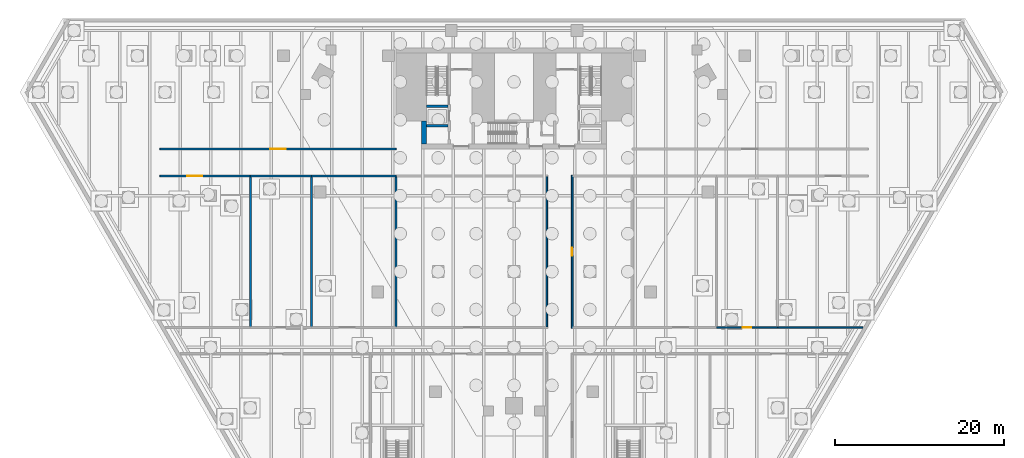
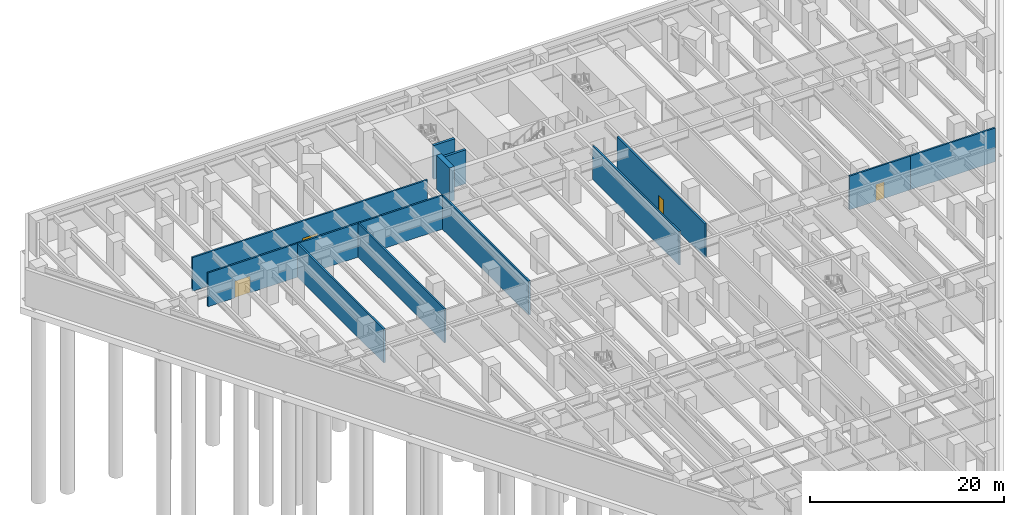
# One storey, part 11 of 18: 14 walls, 4 doors, 4 openings.
"""IFC4 building model written with IfcOpenShell, lengths in metres."""

from ifc_helpers import new_model, si_unit, direction, frame, frame_2d, origin, place, context, subcontext, project, spatial, rectangle, extrude, material, layer, layer_set, type_object, element, fill, save


model = new_model("IFC4")

# Units and contexts
model_context = context("Model", 3, precision=1e-05, world=origin(), true_north=direction((0.0, 1.0)))
body_context = subcontext(model_context, "Body", "Model", "MODEL_VIEW")
ifc_project = project(units=[si_unit("LENGTHUNIT", "METRE"), si_unit("AREAUNIT", "SQUARE_METRE"), si_unit("VOLUMEUNIT", "CUBIC_METRE"), si_unit("PLANEANGLEUNIT", "RADIAN"), si_unit("MASSUNIT", "GRAM", prefix="KILO")], contexts=[model_context])

# Site, building, storey
site_placement = place(None, origin())
site = spatial("IfcSite", under=ifc_project, at=site_placement, CompositionType="ELEMENT")
building_placement = place(site_placement, origin())
building = spatial("IfcBuilding", under=site, at=building_placement, Name="Aloe Facet Convention Tower", CompositionType="ELEMENT")
storey_placement = place(building_placement, frame((0.0, 0.0, -9.0)))
storey = spatial("IfcBuildingStorey", under=building, at=storey_placement, Name="B2", CompositionType="ELEMENT", Elevation=-9.0)

# Walls
ifc_material_1 = material(Name="Concrete C80/95", Category="concrete")
ifc_layer_1 = layer(ifc_material_1, 0.300048828125)
ifc_layer_set_1 = layer_set([ifc_layer_1], Name="CR-W-RC300-C8095")
wall_type_1 = type_object("IfcWallType", Name="CR-W-RC300-C8095", PredefinedType="SOLIDWALL", material=ifc_layer_set_1)
for number, where, z_axis, x_axis, name in (
    (1, (69.60009765625, 127.60009765625, 0.0), (0.0, 0.0, 1.0), (1.0, 0.0, 0.0), "Core wall B2-005"),
    (2, (69.60009765625, 125.300048828125, 0.0), (0.0, 0.0, 1.0), (1.0, 0.0, 0.0), "Core wall B2-006"),
):
    element("IfcWall", number, at=place(storey_placement, frame(where, z_axis=z_axis, x_axis=x_axis)), inside=storey, type_object=wall_type_1, Name=name, PredefinedType="SOLIDWALL", context=body_context, shape_type="SweptSolid", body=[
        extrude(rectangle(XDim=2.5498046875, YDim=0.300048828125, at=frame_2d((1.27490234375, 0.0))), origin(), (0.0, 0.0, 1.0), 4.25),
    ])
ifc_material_2 = material(Name="Concrete C80/95", Category="concrete")
ifc_layer_2 = layer(ifc_material_2, 0.60009765625)
ifc_layer_set_2 = layer_set([ifc_layer_2], Name="CR-W-RC600-C8095")
wall_type_2 = type_object("IfcWallType", Name="CR-W-RC600-C8095", PredefinedType="SOLIDWALL", material=ifc_layer_set_2)
wall_1_placement = place(storey_placement, frame((69.300048828125, 125.85009765625, 0.0), z_axis=(0.0, 0.0, 1.0), x_axis=(0.0, -1.0, 0.0)))
element("IfcWall", 3, at=wall_1_placement, inside=storey, type_object=wall_type_2, Name="Core wall B2-003", PredefinedType="SOLIDWALL", context=body_context, shape_type="SweptSolid", body=[
    extrude(rectangle(XDim=2.7001953125, YDim=0.60009765625, at=frame_2d((1.35009765625, 0.0))), origin(), (0.0, 0.0, 1.0), 4.25),
])
ifc_material_3 = material(Name="Masonry blockwork wall, plastered", Category="masonry")
ifc_layer_3 = layer(ifc_material_3, 0.199951171875)
ifc_layer_set_3 = layer_set([ifc_layer_3], Name="IN-POD-W-PLANT")
wall_type_3 = type_object("IfcWallType", Name="IN-POD-W-PLANT", PredefinedType="PARTITIONING", material=ifc_layer_set_3)
for number, where, z_axis, x_axis, name in (
    (4, (48.7333984375, 101.43505859375, 0.0), (0.0, 0.0, 1.0), (0.0, 1.0, 0.0), "Partition B2-W033"),
    (5, (55.966796875, 101.43505859375, 0.0), (0.0, 0.0, 1.0), (0.0, 1.0, 0.0), "Partition B2-W035"),
    (6, (66.0, 101.43505859375, 0.0), (0.0, 0.0, 1.0), (0.0, 1.0, 0.0), "Partition B2-W037"),
):
    element("IfcWall", number, at=place(storey_placement, frame(where, z_axis=z_axis, x_axis=x_axis)), inside=storey, type_object=wall_type_3, Name=name, PredefinedType="PARTITIONING", context=body_context, shape_type="SweptSolid", body=[
        extrude(rectangle(XDim=17.829833984375, YDim=0.199951171875, at=frame_2d((8.9150390625, 0.0))), origin(), (0.0, 0.0, 1.0), 4.25),
    ])

# Wall, opening, door
wall_2_placement = place(storey_placement, frame((86.89990234375, 101.27490234375, 0.0), z_axis=(0.0, 0.0, 1.0), x_axis=(0.0, 1.0, 0.0)))
wall_2 = element("IfcWall", 7, at=wall_2_placement, inside=storey, type_object=wall_type_3, Name="Partition B2-W039", PredefinedType="PARTITIONING", context=body_context, shape_type="SweptSolid", body=[
    extrude(rectangle(XDim=18.150146484375, YDim=0.199951171875, at=frame_2d((9.0751953125, 0.0))), origin(), (0.0, 0.0, 1.0), 4.25),
])
opening_1_placement = place(wall_2_placement, frame((8.574951171875, 0.0, 0.0)))
opening_1 = element("IfcOpeningElement", 8, at=opening_1_placement, cuts=wall_2, Name="Opening B2-007", PredefinedType="OPENING", context=body_context, shape_type="SweptSolid", body=[
    extrude(rectangle(XDim=1.0, YDim=2.10009765625, at=frame_2d((0.5, 1.050048828125))), frame((0.0, 0.10986328125, 0.0), z_axis=(0.0, -1.0, 0.0), x_axis=(1.0, 0.0, 0.0)), (0.0, 0.0, 1.0), 0.219970703125),
])
ifc_material_4 = material(Name="Steel flush door, galvanised", Category="steel")
door_type_1 = type_object("IfcDoorType", Name="IN-POD-D-PLANT", OperationType="SINGLE_SWING_LEFT", PredefinedType="DOOR", material=ifc_material_4)
door_1_placement = place(opening_1_placement, origin())
door_1 = element("IfcDoor", 9, at=door_1_placement, inside=storey, type_object=door_type_1, Name="Door B2-007", OperationType="SINGLE_SWING_LEFT", OverallHeight=2.10009765625, OverallWidth=1.0, PredefinedType="DOOR", context=body_context, shape_type="SweptSolid", body=[
    extrude(rectangle(XDim=1.0, YDim=2.10009765625, at=frame_2d((0.5, 1.050048828125))), frame((0.0, 0.02490234375, 0.0), z_axis=(0.0, -1.0, 0.0), x_axis=(1.0, 0.0, 0.0)), (0.0, 0.0, 1.0), 0.050048828125),
])
fill(opening_1, door_1)

wall_3_placement = place(storey_placement, frame((104.033203125, 101.35009765625, 0.0), z_axis=(0.0, 0.0, 1.0), x_axis=(1.0, 0.0, 0.0)))
wall_3 = element("IfcWall", 10, at=wall_3_placement, inside=storey, type_object=wall_type_3, Name="Partition B2-W044", PredefinedType="PARTITIONING", context=body_context, shape_type="SweptSolid", body=[
    extrude(rectangle(XDim=7.2333984375, YDim=0.199951171875, at=frame_2d((3.61669921875, 0.0))), origin(), (0.0, 0.0, 1.0), 4.25),
])
opening_2_placement = place(wall_3_placement, frame((3.11669921875, 0.0, 0.0)))
opening_2 = element("IfcOpeningElement", 11, at=opening_2_placement, cuts=wall_3, Name="Opening B2-009", PredefinedType="OPENING", context=body_context, shape_type="SweptSolid", body=[
    extrude(rectangle(XDim=1.0, YDim=2.10009765625, at=frame_2d((0.5, 1.050048828125))), frame((0.0, 0.10986328125, 0.0), z_axis=(0.0, -1.0, 0.0), x_axis=(1.0, 0.0, 0.0)), (0.0, 0.0, 1.0), 0.219970703125),
])
door_2_placement = place(opening_2_placement, origin())
door_2 = element("IfcDoor", 12, at=door_2_placement, inside=storey, type_object=door_type_1, Name="Door B2-009", OperationType="SINGLE_SWING_LEFT", OverallHeight=2.10009765625, OverallWidth=1.0, PredefinedType="DOOR", context=body_context, shape_type="SweptSolid", body=[
    extrude(rectangle(XDim=1.0, YDim=2.10009765625, at=frame_2d((0.5, 1.050048828125))), frame((0.0, 0.02490234375, 0.0), z_axis=(0.0, -1.0, 0.0), x_axis=(1.0, 0.0, 0.0)), (0.0, 0.0, 1.0), 0.050048828125),
])
fill(opening_2, door_2)

# Wall
wall_4_placement = place(storey_placement, frame((111.2666015625, 101.35009765625, 0.0), z_axis=(0.0, 0.0, 1.0), x_axis=(1.0, 0.0, 0.0)))
element("IfcWall", 13, at=wall_4_placement, inside=storey, type_object=wall_type_3, Name="Partition B2-W046", PredefinedType="PARTITIONING", context=body_context, shape_type="SweptSolid", body=[
    extrude(rectangle(XDim=10.11767578125, YDim=0.199951171875, at=frame_2d((5.058837890625, 0.0))), origin(), (0.0, 0.0, 1.0), 4.25),
])

# Wall, opening, door
wall_5_placement = place(storey_placement, frame((38.0, 119.35009765625, 0.0), z_axis=(0.0, 0.0, 1.0), x_axis=(1.0, 0.0, 0.0)))
wall_5 = element("IfcWall", 14, at=wall_5_placement, inside=storey, type_object=wall_type_3, Name="Partition B2-W047", PredefinedType="PARTITIONING", context=body_context, shape_type="SweptSolid", body=[
    extrude(rectangle(XDim=10.7333984375, YDim=0.199951171875, at=frame_2d((5.36669921875, 0.0))), origin(), (0.0, 0.0, 1.0), 4.25),
])
opening_3_placement = place(wall_5_placement, frame((3.216552734375, 0.0, 0.0)))
opening_3 = element("IfcOpeningElement", 15, at=opening_3_placement, cuts=wall_5, Name="Opening B2-003", PredefinedType="OPENING", context=body_context, shape_type="SweptSolid", body=[
    extrude(rectangle(XDim=1.800048828125, YDim=2.10009765625, at=frame_2d((0.89990234375, 1.050048828125))), frame((0.0, 0.10986328125, 0.0), z_axis=(0.0, -1.0, 0.0), x_axis=(1.0, 0.0, 0.0)), (0.0, 0.0, 1.0), 0.219970703125),
])
ifc_material_5 = material(Name="Steel flush door pair, galvanised", Category="steel")
door_type_2 = type_object("IfcDoorType", Name="IN-POD-D-PLANTPAIR", OperationType="DOUBLE_DOOR_SINGLE_SWING", PredefinedType="DOOR", material=ifc_material_5)
door_3_placement = place(opening_3_placement, origin())
door_3 = element("IfcDoor", 16, at=door_3_placement, inside=storey, type_object=door_type_2, Name="Door B2-003", OperationType="SINGLE_SWING_LEFT", OverallHeight=2.10009765625, OverallWidth=1.800048828125, PredefinedType="DOOR", context=body_context, shape_type="SweptSolid", body=[
    extrude(rectangle(XDim=1.800048828125, YDim=2.10009765625, at=frame_2d((0.89990234375, 1.050048828125))), frame((0.0, 0.02490234375, 0.0), z_axis=(0.0, -1.0, 0.0), x_axis=(1.0, 0.0, 0.0)), (0.0, 0.0, 1.0), 0.050048828125),
])
fill(opening_3, door_3)

# Walls
wall_6_placement = place(storey_placement, frame((48.7333984375, 119.35009765625, 0.0), z_axis=(0.0, 0.0, 1.0), x_axis=(1.0, 0.0, 0.0)))
element("IfcWall", 17, at=wall_6_placement, inside=storey, type_object=wall_type_3, Name="Partition B2-W048", PredefinedType="PARTITIONING", context=body_context, shape_type="SweptSolid", body=[
    extrude(rectangle(XDim=7.2333984375, YDim=0.199951171875, at=frame_2d((3.61669921875, 0.0))), origin(), (0.0, 0.0, 1.0), 4.25),
])
wall_7_placement = place(storey_placement, frame((55.966796875, 119.35009765625, 0.0), z_axis=(0.0, 0.0, 1.0), x_axis=(1.0, 0.0, 0.0)))
element("IfcWall", 18, at=wall_7_placement, inside=storey, type_object=wall_type_3, Name="Partition B2-W049", PredefinedType="PARTITIONING", context=body_context, shape_type="SweptSolid", body=[
    extrude(rectangle(XDim=10.033203125, YDim=0.199951171875, at=frame_2d((5.0166015625, 0.0))), origin(), (0.0, 0.0, 1.0), 4.25),
])
wall_8_placement = place(storey_placement, frame((83.89990234375, 101.43505859375, 0.0), z_axis=(0.0, 0.0, 1.0), x_axis=(0.0, 1.0, 0.0)))
element("IfcWall", 19, at=wall_8_placement, inside=storey, type_object=wall_type_3, Name="Partition B2-W051", PredefinedType="PARTITIONING", context=body_context, shape_type="SweptSolid", body=[
    extrude(rectangle(XDim=17.829833984375, YDim=0.199951171875, at=frame_2d((8.9150390625, 0.0))), origin(), (0.0, 0.0, 1.0), 4.25),
])

# Wall, opening, door
wall_9_placement = place(storey_placement, frame((38.0, 122.550048828125, 0.0), z_axis=(0.0, 0.0, 1.0), x_axis=(1.0, 0.0, 0.0)))
wall_9 = element("IfcWall", 20, at=wall_9_placement, inside=storey, type_object=wall_type_3, Name="Partition B2-W056", PredefinedType="PARTITIONING", context=body_context, shape_type="SweptSolid", body=[
    extrude(rectangle(XDim=28.0, YDim=0.199951171875, at=frame_2d((14.0, 0.0))), origin(), (0.0, 0.0, 1.0), 4.25),
])
opening_4_placement = place(wall_9_placement, frame((13.10009765625, 0.0, 0.0)))
opening_4 = element("IfcOpeningElement", 21, at=opening_4_placement, cuts=wall_9, Name="Opening B2-001", PredefinedType="OPENING", context=body_context, shape_type="SweptSolid", body=[
    extrude(rectangle(XDim=1.800048828125, YDim=2.10009765625, at=frame_2d((0.89990234375, 1.050048828125))), frame((0.0, 0.10986328125, 0.0), z_axis=(0.0, -1.0, 0.0), x_axis=(1.0, 0.0, 0.0)), (0.0, 0.0, 1.0), 0.219970703125),
])
door_4_placement = place(opening_4_placement, origin())
door_4 = element("IfcDoor", 22, at=door_4_placement, inside=storey, type_object=door_type_2, Name="Door B2-001", OperationType="SINGLE_SWING_LEFT", OverallHeight=2.10009765625, OverallWidth=1.800048828125, PredefinedType="DOOR", context=body_context, shape_type="SweptSolid", body=[
    extrude(rectangle(XDim=1.800048828125, YDim=2.10009765625, at=frame_2d((0.89990234375, 1.050048828125))), frame((0.0, 0.02490234375, 0.0), z_axis=(0.0, -1.0, 0.0), x_axis=(1.0, 0.0, 0.0)), (0.0, 0.0, 1.0), 0.050048828125),
])
fill(opening_4, door_4)

save(model, "model.ifc")
